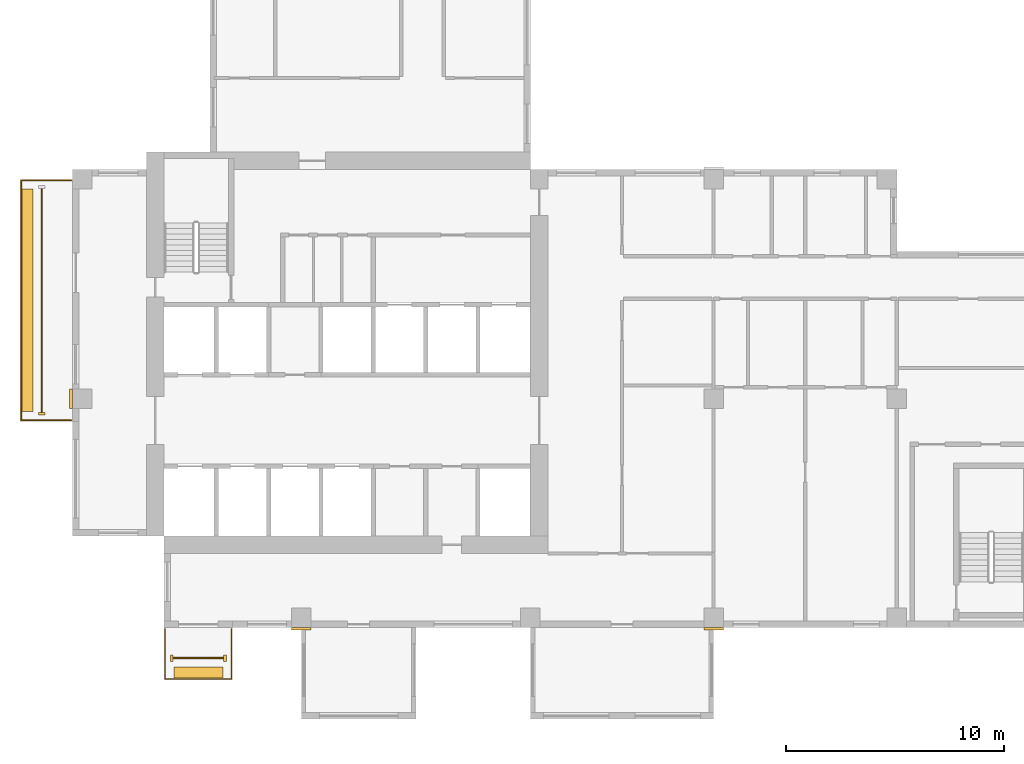
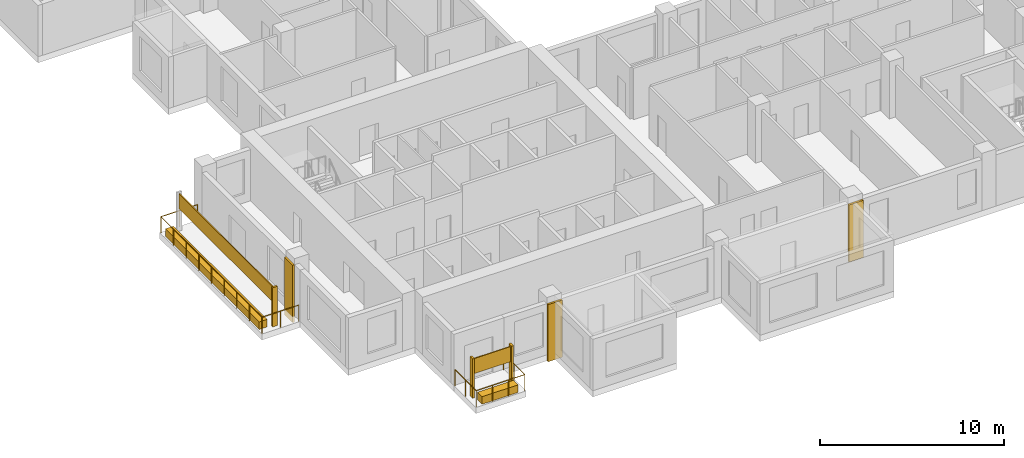
# One storey, part 9 of 12: 10 coverings, 2 railings.
"""IFC4 building model written with IfcOpenShell, lengths in metres."""

from ifc_helpers import new_model, si_unit, direction, frame, origin, origin_2d, place, context, subcontext, project, spatial, rectangle, circle, extrude, source, transform, mapped, material, type_object, element, save


model = new_model("IFC4")

# Units and contexts
model_context = context("Model", 3, precision=1e-05, world=origin(), true_north=direction((0.0, 1.0)))
body_context = subcontext(model_context, "Body", "Model", "MODEL_VIEW")
ifc_project = project(units=[si_unit("LENGTHUNIT", "METRE"), si_unit("AREAUNIT", "SQUARE_METRE"), si_unit("VOLUMEUNIT", "CUBIC_METRE"), si_unit("PLANEANGLEUNIT", "RADIAN"), si_unit("MASSUNIT", "GRAM", prefix="KILO")], contexts=[model_context])

# Site, building, storey
site_placement = place(None, origin())
site = spatial("IfcSite", under=ifc_project, at=site_placement, CompositionType="ELEMENT")
building_placement = place(site_placement, origin())
building = spatial("IfcBuilding", under=site, at=building_placement, Name="Aurelian Terraces", CompositionType="ELEMENT")
storey_placement = place(building_placement, frame((0.0, 0.0, 223.4)))
storey = spatial("IfcBuildingStorey", under=building, at=storey_placement, Name="L50", CompositionType="ELEMENT", Elevation=223.4)

# Coverings
ifc_material_1 = material(Name="Terracotta rainscreen cladding relief", Category="masonry")
covering_type_1 = type_object("IfcCoveringType", Name="FIN-TC", PredefinedType="CLADDING", material=ifc_material_1)
shared_shape_1 = source(origin(), body_context, "Body", "SweptSolid", [
    extrude(rectangle(XDim=0.3, YDim=0.12, at=origin_2d()), origin(), (0.0, 0.0, 1.0), 2.6),
])
covering_1_placement = place(storey_placement, frame((-1.4, 9.8, 0.0), z_axis=(0.0, 0.0, 1.0), x_axis=(1.0, 0.0, 0.0)))
element("IfcCovering", 1, at=covering_1_placement, inside=storey, type_object=covering_type_1, Name="FIN L50 L50-F20-34.2", PredefinedType="CLADDING", context=body_context, shape_type="MappedRepresentation", body=[
    mapped(shared_shape_1, transform((0.0, 0.0, 0.0), scale=1.0)),
])
shared_shape_2 = source(origin(), body_context, "Body", "SweptSolid", [
    extrude(rectangle(XDim=0.12, YDim=0.3, at=origin_2d()), origin(), (0.0, 0.0, 1.0), 2.6),
])
for number, where, z_axis, x_axis, name in (
    (2, (4.55, -1.4, 0.0), (0.0, 0.0, 1.0), (1.0, 0.0, 0.0), "FIN L50 L50-F01-01.1"),
    (3, (7.0, -1.4, 0.0), (0.0, 0.0, 1.0), (1.0, 0.0, 0.0), "FIN L50 L50-F01-01.2"),
):
    element("IfcCovering", number, at=place(storey_placement, frame(where, z_axis=z_axis, x_axis=x_axis)), inside=storey, type_object=covering_type_1, Name=name, PredefinedType="CLADDING", context=body_context, shape_type="MappedRepresentation", body=[
        mapped(shared_shape_2, transform((0.0, 0.0, 0.0), scale=1.0)),
    ])
covering_type_2 = type_object("IfcCoveringType", Name="BAGUETTE-TC", PredefinedType="CLADDING", material=ifc_material_1)
shared_shape_3 = source(origin(), body_context, "Body", "SweptSolid", [
    extrude(rectangle(XDim=0.9, YDim=0.12, at=origin_2d()), origin(), (0.0, 0.0, 1.0), 3.8),
])
for number, where, z_axis, x_axis, name in (
    (4, (10.5, -0.06, -0.4), (0.0, 0.0, 1.0), (1.0, 0.0, 0.0), "BAGUETTE pier L50 1"),
    (5, (29.4, -0.06, -0.4), (0.0, 0.0, 1.0), (1.0, 0.0, 0.0), "BAGUETTE pier L50 2"),
):
    element("IfcCovering", number, at=place(storey_placement, frame(where, z_axis=z_axis, x_axis=x_axis)), inside=storey, type_object=covering_type_2, Name=name, PredefinedType="CLADDING", context=body_context, shape_type="MappedRepresentation", body=[
        mapped(shared_shape_3, transform((0.0, 0.0, 0.0), scale=1.0)),
    ])
shared_shape_4 = source(origin(), body_context, "Body", "SweptSolid", [
    extrude(rectangle(XDim=0.12, YDim=0.9, at=origin_2d()), origin(), (0.0, 0.0, 1.0), 3.8),
])
covering_2_placement = place(storey_placement, frame((-0.06, 10.5, -0.4), z_axis=(0.0, 0.0, 1.0), x_axis=(1.0, 0.0, 0.0)))
element("IfcCovering", 6, at=covering_2_placement, inside=storey, type_object=covering_type_2, Name="BAGUETTE pier L50 4", PredefinedType="CLADDING", context=body_context, shape_type="MappedRepresentation", body=[
    mapped(shared_shape_4, transform((0.0, 0.0, 0.0), scale=1.0)),
])

# Railing
ifc_material_2 = material(Name="Anodised aluminium", Category="aluminium")
railing_type = type_object("IfcRailingType", Name="GUARD-1100", PredefinedType="GUARDRAIL", material=ifc_material_2)
shared_shape_5 = source(origin(), body_context, "Body", "SweptSolid", [
    extrude(circle(Radius=0.024, at=origin_2d()), frame((0.0, 0.0, 1.076), z_axis=(0.0, -1.0, 0.0), x_axis=(1.0, 0.0, 0.0)), (0.0, 0.0, 1.0), 2.3),
    extrude(circle(Radius=0.024, at=origin_2d()), frame((0.0, -2.3, 1.076), z_axis=(1.0, 0.0, 0.0), x_axis=(0.0, 1.0, 0.0)), (0.0, 0.0, 1.0), 3.05),
    extrude(circle(Radius=0.024, at=origin_2d()), frame((3.05, -2.3, 1.076), z_axis=(0.0, 1.0, 0.0), x_axis=(-1.0, 0.0, 0.0)), (0.0, 0.0, 1.0), 2.3),
    extrude(circle(Radius=0.021, at=origin_2d()), origin(), (0.0, 0.0, 1.0), 1.052),
    extrude(circle(Radius=0.021, at=origin_2d()), frame((0.0, -1.15, 0.0)), (0.0, 0.0, 1.0), 1.052),
    extrude(circle(Radius=0.021, at=origin_2d()), frame((0.0, -2.3, 0.0)), (0.0, 0.0, 1.0), 1.052),
    extrude(circle(Radius=0.021, at=origin_2d()), frame((1.0167, -2.3, 0.0)), (0.0, 0.0, 1.0), 1.052),
    extrude(circle(Radius=0.021, at=origin_2d()), frame((2.0333, -2.3, 0.0)), (0.0, 0.0, 1.0), 1.052),
    extrude(circle(Radius=0.021, at=origin_2d()), frame((3.05, -2.3, 0.0)), (0.0, 0.0, 1.0), 1.052),
    extrude(circle(Radius=0.021, at=origin_2d()), frame((3.05, -1.15, 0.0)), (0.0, 0.0, 1.0), 1.052),
    extrude(circle(Radius=0.021, at=origin_2d()), frame((3.05, 0.0, 0.0)), (0.0, 0.0, 1.0), 1.052),
])
railing_1_placement = place(storey_placement, frame((4.25, -0.05, 0.0)))
element("IfcRailing", 7, at=railing_1_placement, inside=storey, type_object=railing_type, Name="Balcony guard L50 F01.1", PredefinedType="GUARDRAIL", context=body_context, shape_type="MappedRepresentation", body=[
    mapped(shared_shape_5, transform((0.0, 0.0, 0.0), scale=1.0)),
])

# Coverings
ifc_material_3 = material(Name="Terracotta planter with planting soil", Category="masonry")
covering_type_3 = type_object("IfcCoveringType", Name="PLANTER-TROUGH", PredefinedType="USERDEFINED", material=ifc_material_3)
shared_shape_6 = source(origin(), body_context, "Body", "SweptSolid", [
    extrude(rectangle(XDim=2.25, YDim=0.5, at=origin_2d()), origin(), (0.0, 0.0, 1.0), 0.5),
])
covering_3_placement = place(storey_placement, frame((5.775, -2.05, 0.0), z_axis=(0.0, 0.0, 1.0), x_axis=(1.0, 0.0, 0.0)))
element("IfcCovering", 8, at=covering_3_placement, inside=storey, type_object=covering_type_3, Name="PLANTER L50 L50-F01-01", ObjectType="PLANTER", PredefinedType="USERDEFINED", context=body_context, shape_type="MappedRepresentation", body=[
    mapped(shared_shape_6, transform((0.0, 0.0, 0.0), scale=1.0)),
])
ifc_material_4 = material(Name="Terracotta rainscreen cladding", Category="masonry")
covering_type_4 = type_object("IfcCoveringType", Name="SCREEN-TC", PredefinedType="CLADDING", material=ifc_material_4)
shared_shape_7 = source(origin(), body_context, "Body", "SweptSolid", [
    extrude(rectangle(XDim=2.33, YDim=0.06, at=origin_2d()), origin(), (0.0, 0.0, 1.0), 1.0),
])
covering_4_placement = place(storey_placement, frame((5.775, -1.4, 1.5), z_axis=(0.0, 0.0, 1.0), x_axis=(1.0, 0.0, 0.0)))
element("IfcCovering", 9, at=covering_4_placement, inside=storey, type_object=covering_type_4, Name="SCREEN L50 L50-F01-01", PredefinedType="CLADDING", context=body_context, shape_type="MappedRepresentation", body=[
    mapped(shared_shape_7, transform((0.0, 0.0, 0.0), scale=1.0)),
])

# Railing
shared_shape_8 = source(origin(), body_context, "Body", "SweptSolid", [
    extrude(circle(Radius=0.024, at=origin_2d()), frame((0.0, 0.0, 1.076), z_axis=(-1.0, 0.0, 0.0), x_axis=(0.0, -1.0, 0.0)), (0.0, 0.0, 1.0), 2.3),
    extrude(circle(Radius=0.024, at=origin_2d()), frame((-2.3, 0.0, 1.076), z_axis=(0.0, -1.0, 0.0), x_axis=(1.0, 0.0, 0.0)), (0.0, 0.0, 1.0), 11.0),
    extrude(circle(Radius=0.024, at=origin_2d()), frame((-2.3, -11.0, 1.076), z_axis=(1.0, 0.0, 0.0), x_axis=(0.0, 1.0, 0.0)), (0.0, 0.0, 1.0), 2.3),
    extrude(circle(Radius=0.021, at=origin_2d()), origin(), (0.0, 0.0, 1.0), 1.052),
    extrude(circle(Radius=0.021, at=origin_2d()), frame((-1.15, 0.0, 0.0)), (0.0, 0.0, 1.0), 1.052),
    extrude(circle(Radius=0.021, at=origin_2d()), frame((-2.3, 0.0, 0.0)), (0.0, 0.0, 1.0), 1.052),
    extrude(circle(Radius=0.021, at=origin_2d()), frame((-2.3, -1.375, 0.0)), (0.0, 0.0, 1.0), 1.052),
    extrude(circle(Radius=0.021, at=origin_2d()), frame((-2.3, -2.75, 0.0)), (0.0, 0.0, 1.0), 1.052),
    extrude(circle(Radius=0.021, at=origin_2d()), frame((-2.3, -4.125, 0.0)), (0.0, 0.0, 1.0), 1.052),
    extrude(circle(Radius=0.021, at=origin_2d()), frame((-2.3, -5.5, 0.0)), (0.0, 0.0, 1.0), 1.052),
    extrude(circle(Radius=0.021, at=origin_2d()), frame((-2.3, -6.875, 0.0)), (0.0, 0.0, 1.0), 1.052),
    extrude(circle(Radius=0.021, at=origin_2d()), frame((-2.3, -8.25, 0.0)), (0.0, 0.0, 1.0), 1.052),
    extrude(circle(Radius=0.021, at=origin_2d()), frame((-2.3, -9.625, 0.0)), (0.0, 0.0, 1.0), 1.052),
    extrude(circle(Radius=0.021, at=origin_2d()), frame((-2.3, -11.0, 0.0)), (0.0, 0.0, 1.0), 1.052),
    extrude(circle(Radius=0.021, at=origin_2d()), frame((-1.15, -11.0, 0.0)), (0.0, 0.0, 1.0), 1.052),
    extrude(circle(Radius=0.021, at=origin_2d()), frame((0.0, -11.0, 0.0)), (0.0, 0.0, 1.0), 1.052),
])
railing_2_placement = place(storey_placement, frame((-0.05, 20.5, 0.0)))
element("IfcRailing", 10, at=railing_2_placement, inside=storey, type_object=railing_type, Name="Balcony guard L50 F20.34", PredefinedType="GUARDRAIL", context=body_context, shape_type="MappedRepresentation", body=[
    mapped(shared_shape_8, transform((0.0, 0.0, 0.0), scale=1.0)),
])

# Coverings
shared_shape_9 = source(origin(), body_context, "Body", "SweptSolid", [
    extrude(rectangle(XDim=0.5, YDim=10.2, at=origin_2d()), origin(), (0.0, 0.0, 1.0), 0.5),
])
covering_5_placement = place(storey_placement, frame((-2.05, 15.0, 0.0), z_axis=(0.0, 0.0, 1.0), x_axis=(1.0, 0.0, 0.0)))
element("IfcCovering", 11, at=covering_5_placement, inside=storey, type_object=covering_type_3, Name="PLANTER L50 L50-F20-34", ObjectType="PLANTER", PredefinedType="USERDEFINED", context=body_context, shape_type="MappedRepresentation", body=[
    mapped(shared_shape_9, transform((0.0, 0.0, 0.0), scale=1.0)),
])
shared_shape_10 = source(origin(), body_context, "Body", "SweptSolid", [
    extrude(rectangle(XDim=0.06, YDim=10.28, at=origin_2d()), origin(), (0.0, 0.0, 1.0), 1.0),
])
covering_6_placement = place(storey_placement, frame((-1.4, 15.0, 1.5), z_axis=(0.0, 0.0, 1.0), x_axis=(1.0, 0.0, 0.0)))
element("IfcCovering", 12, at=covering_6_placement, inside=storey, type_object=covering_type_4, Name="SCREEN L50 L50-F20-34", PredefinedType="CLADDING", context=body_context, shape_type="MappedRepresentation", body=[
    mapped(shared_shape_10, transform((0.0, 0.0, 0.0), scale=1.0)),
])

save(model, "model.ifc")
